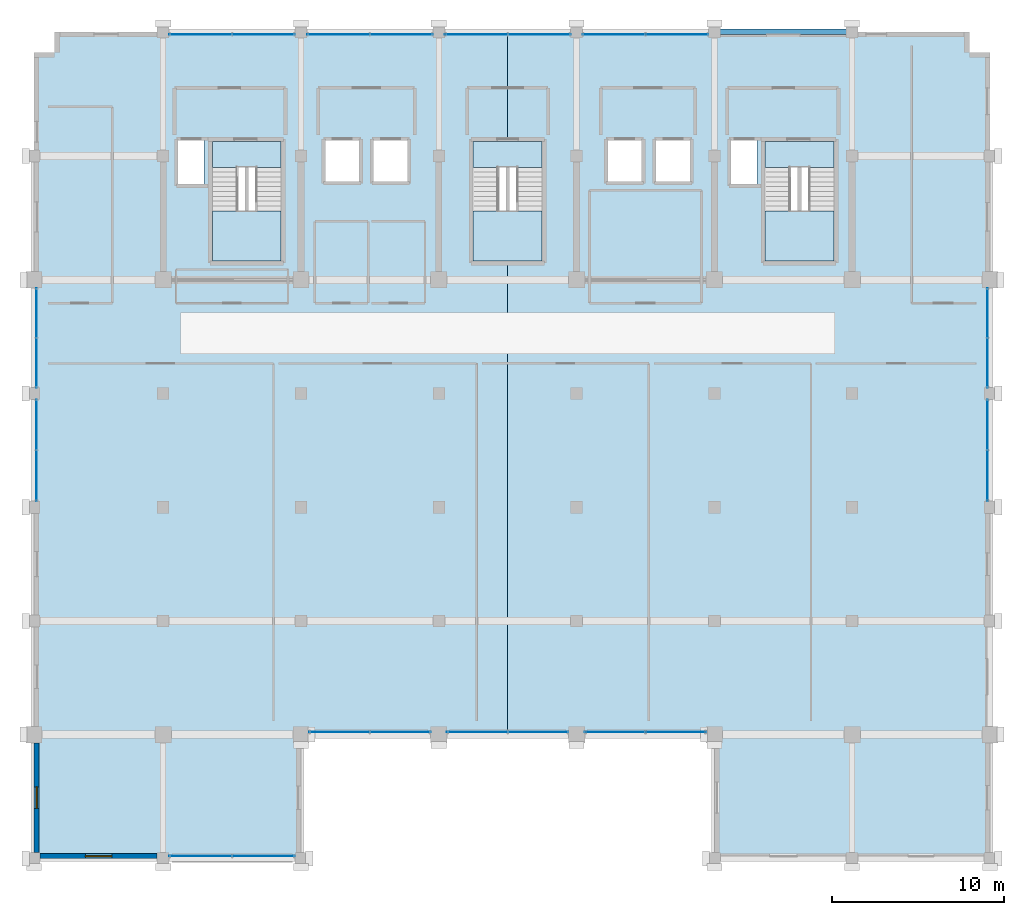
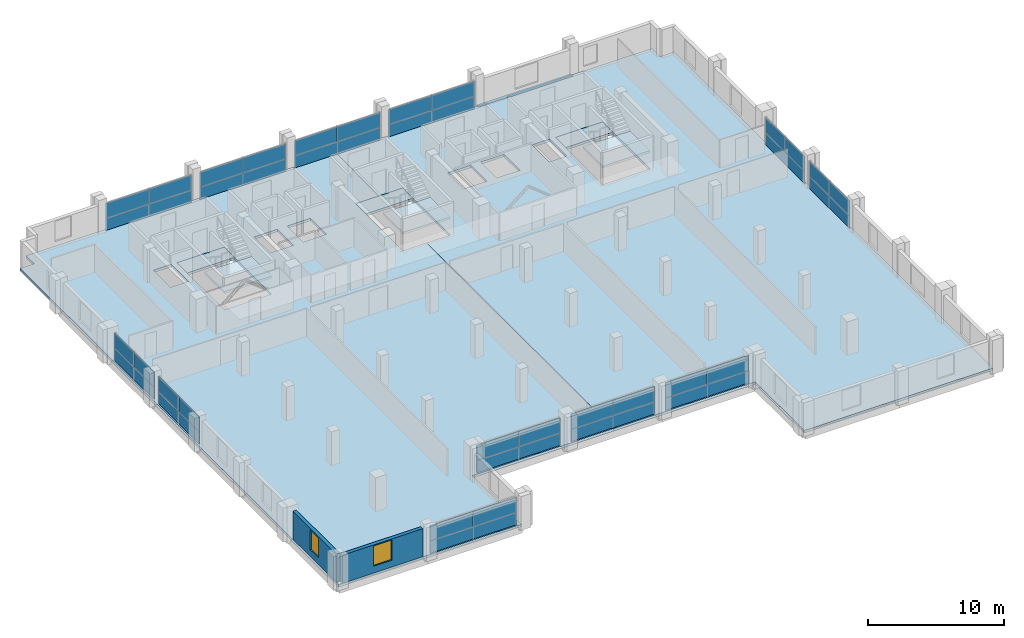
# One storey, part 20 of 25: 36 plates, 8 slabs, 2 walls, 2 windows, 1 beam, 2 openings, 15 elements without a shape of their own.
"""IFC4 building model written with IfcOpenShell, lengths in metres."""

from ifc_helpers import new_model, si_unit, direction, frame, frame_2d, origin, origin_2d, place, context, subcontext, project, spatial, polyline, rectangle, outline, extrude, material, layer, layer_set, material_profile, profile_set, type_object, element, fill, aggregate, save


model = new_model("IFC4")

# Units and contexts
model_context = context("Model", 3, precision=1e-05, world=origin(), true_north=direction((0.0, 1.0)))
body_context = subcontext(model_context, "Body", "Model", "MODEL_VIEW")
ifc_project = project(units=[si_unit("LENGTHUNIT", "METRE"), si_unit("AREAUNIT", "SQUARE_METRE"), si_unit("VOLUMEUNIT", "CUBIC_METRE"), si_unit("PLANEANGLEUNIT", "RADIAN"), si_unit("MASSUNIT", "GRAM", prefix="KILO")], contexts=[model_context])

# Site, building, storey
site_placement = place(None, origin())
site = spatial("IfcSite", under=ifc_project, at=site_placement, CompositionType="ELEMENT")
building_placement = place(site_placement, origin())
building = spatial("IfcBuilding", under=site, at=building_placement, Name="Akrevak Sports Hall", CompositionType="ELEMENT")
storey_placement = place(building_placement, frame((0.0, 0.0, 50.300048828125)))
storey = spatial("IfcBuildingStorey", under=building, at=storey_placement, Name="L12", CompositionType="ELEMENT", Elevation=50.300048828125)

# Beam
ifc_material_1 = material(Name="Concrete C40/50", Category="concrete")
ifc_material_profile = material_profile(ifc_material_1, rectangle(XDim=0.320068359375, YDim=0.679931640625, at=origin_2d()), Name="SPD 320x680", Category="concrete")
ifc_profile_set = profile_set([ifc_material_profile], Name="Concrete C40/50")
beam_type = type_object("IfcBeamType", Name="STR-SPD-RC320x680", PredefinedType="SPANDREL", material=ifc_profile_set)
beam_placement = place(storey_placement, frame((92.0, 69.60009765625, -0.340087890625), z_axis=(1.0, 0.0, 0.0), x_axis=(0.0, 1.0, 0.0)))
element("IfcBeam", 1, at=beam_placement, inside=storey, type_object=beam_type, Name="Girder K/13-14 (L12)", PredefinedType="SPANDREL", context=body_context, shape_type="SweptSolid", body=[
    extrude(rectangle(XDim=0.320068359375, YDim=0.679931640625, at=origin_2d()), origin(), (0.0, 0.0, 1.0), 8.0),
])

# Curtain wall, plates
ifc_material_2 = material(Name="Anodized Bronze Aluminium & Low-E Glass", Category="aluminium")
curtain_wall_type = type_object("IfcCurtainWallType", Name="ARC-CW-TWR-72x30", PredefinedType="NOTDEFINED", material=ifc_material_2)
curtain_wall_1_placement = place(storey_placement, origin())
curtain_wall_1 = element("IfcCurtainWall", 2, at=curtain_wall_1_placement, inside=storey, type_object=curtain_wall_type, Name="Curtain Wall CW-L12-S02", PredefinedType="NOTDEFINED")
ifc_material_3 = material(Name="Double Low-E Tempered Glass", Category="glass")
ifc_layer_1 = layer(ifc_material_3, 0.031982421875, Name="Double Low-E Tempered Glass")
ifc_layer_set_1 = layer_set([ifc_layer_1], Name="Double Low-E Tempered Glass")
plate_type_1 = type_object("IfcPlateType", Name="ARC-CWP-GLZ-32", PredefinedType="CURTAIN_PANEL", material=ifc_layer_set_1)
plate_1_placement = place(storey_placement, frame((62.175048828125, 21.75, 1.099853515625), z_axis=(0.0, 0.0, 1.0), x_axis=(1.0, 0.0, 0.0)))
plate_1 = element("IfcPlate", 3, at=plate_1_placement, type_object=plate_type_1, Name="Vision Glass Panel CW-L12-S02-G1", PredefinedType="CURTAIN_PANEL", context=body_context, shape_type="SweptSolid", body=[
    extrude(rectangle(XDim=3.64990234375, YDim=0.035888671875, at=origin_2d()), origin(), (0.0, 0.0, 1.0), 1.35009765625),
])
plate_2_placement = place(storey_placement, frame((65.824951171875, 21.75, 1.099853515625), z_axis=(0.0, 0.0, 1.0), x_axis=(1.0, 0.0, 0.0)))
plate_2 = element("IfcPlate", 4, at=plate_2_placement, type_object=plate_type_1, Name="Vision Glass Panel CW-L12-S02-G2", PredefinedType="CURTAIN_PANEL", context=body_context, shape_type="SweptSolid", body=[
    extrude(rectangle(XDim=3.64990234375, YDim=0.035888671875, at=origin_2d()), origin(), (0.0, 0.0, 1.0), 1.35009765625),
])

curtain_wall_2_placement = place(storey_placement, origin())
curtain_wall_2 = element("IfcCurtainWall", 5, at=curtain_wall_2_placement, inside=storey, type_object=curtain_wall_type, Name="Curtain Wall CW-L12-S04", PredefinedType="NOTDEFINED")
plate_3_placement = place(storey_placement, frame((70.237548828125, 28.949951171875, 1.099853515625), z_axis=(0.0, 0.0, 1.0), x_axis=(1.0, 0.0, 0.0)))
plate_3 = element("IfcPlate", 6, at=plate_3_placement, type_object=plate_type_1, Name="Vision Glass Panel CW-L12-S04-G1", PredefinedType="CURTAIN_PANEL", context=body_context, shape_type="SweptSolid", body=[
    extrude(rectangle(XDim=3.52490234375, YDim=0.035888671875, at=origin_2d()), origin(), (0.0, 0.0, 1.0), 1.35009765625),
])
plate_4_placement = place(storey_placement, frame((73.762451171875, 28.949951171875, 1.099853515625), z_axis=(0.0, 0.0, 1.0), x_axis=(1.0, 0.0, 0.0)))
plate_4 = element("IfcPlate", 7, at=plate_4_placement, type_object=plate_type_1, Name="Vision Glass Panel CW-L12-S04-G2", PredefinedType="CURTAIN_PANEL", context=body_context, shape_type="SweptSolid", body=[
    extrude(rectangle(XDim=3.52490234375, YDim=0.035888671875, at=origin_2d()), origin(), (0.0, 0.0, 1.0), 1.35009765625),
])

curtain_wall_3_placement = place(storey_placement, origin())
curtain_wall_3 = element("IfcCurtainWall", 8, at=curtain_wall_3_placement, inside=storey, type_object=curtain_wall_type, Name="Curtain Wall CW-L12-S05", PredefinedType="NOTDEFINED")
plate_5_placement = place(storey_placement, frame((78.237548828125, 28.949951171875, 1.099853515625), z_axis=(0.0, 0.0, 1.0), x_axis=(1.0, 0.0, 0.0)))
plate_5 = element("IfcPlate", 9, at=plate_5_placement, type_object=plate_type_1, Name="Vision Glass Panel CW-L12-S05-G1", PredefinedType="CURTAIN_PANEL", context=body_context, shape_type="SweptSolid", body=[
    extrude(rectangle(XDim=3.52490234375, YDim=0.035888671875, at=origin_2d()), origin(), (0.0, 0.0, 1.0), 1.35009765625),
])
plate_6_placement = place(storey_placement, frame((81.762451171875, 28.949951171875, 1.099853515625), z_axis=(0.0, 0.0, 1.0), x_axis=(1.0, 0.0, 0.0)))
plate_6 = element("IfcPlate", 10, at=plate_6_placement, type_object=plate_type_1, Name="Vision Glass Panel CW-L12-S05-G2", PredefinedType="CURTAIN_PANEL", context=body_context, shape_type="SweptSolid", body=[
    extrude(rectangle(XDim=3.52490234375, YDim=0.035888671875, at=origin_2d()), origin(), (0.0, 0.0, 1.0), 1.35009765625),
])

curtain_wall_4_placement = place(storey_placement, origin())
curtain_wall_4 = element("IfcCurtainWall", 11, at=curtain_wall_4_placement, inside=storey, type_object=curtain_wall_type, Name="Curtain Wall CW-L12-S06", PredefinedType="NOTDEFINED")
plate_7_placement = place(storey_placement, frame((86.237548828125, 28.949951171875, 1.099853515625), z_axis=(0.0, 0.0, 1.0), x_axis=(1.0, 0.0, 0.0)))
plate_7 = element("IfcPlate", 12, at=plate_7_placement, type_object=plate_type_1, Name="Vision Glass Panel CW-L12-S06-G1", PredefinedType="CURTAIN_PANEL", context=body_context, shape_type="SweptSolid", body=[
    extrude(rectangle(XDim=3.52490234375, YDim=0.035888671875, at=origin_2d()), origin(), (0.0, 0.0, 1.0), 1.35009765625),
])
plate_8_placement = place(storey_placement, frame((89.762451171875, 28.949951171875, 1.099853515625), z_axis=(0.0, 0.0, 1.0), x_axis=(1.0, 0.0, 0.0)))
plate_8 = element("IfcPlate", 13, at=plate_8_placement, type_object=plate_type_1, Name="Vision Glass Panel CW-L12-S06-G2", PredefinedType="CURTAIN_PANEL", context=body_context, shape_type="SweptSolid", body=[
    extrude(rectangle(XDim=3.52490234375, YDim=0.035888671875, at=origin_2d()), origin(), (0.0, 0.0, 1.0), 1.35009765625),
])

curtain_wall_5_placement = place(storey_placement, origin())
curtain_wall_5 = element("IfcCurtainWall", 14, at=curtain_wall_5_placement, inside=storey, type_object=curtain_wall_type, Name="Curtain Wall CW-L12-E13", PredefinedType="NOTDEFINED")
plate_9_placement = place(storey_placement, frame((107.85009765625, 43.824951171875, 1.099853515625), z_axis=(0.0, 0.0, 1.0), x_axis=(0.0, 1.0, 0.0)))
plate_9 = element("IfcPlate", 15, at=plate_9_placement, type_object=plate_type_1, Name="Vision Glass Panel CW-L12-E13-G1", PredefinedType="CURTAIN_PANEL", context=body_context, shape_type="SweptSolid", body=[
    extrude(rectangle(XDim=2.949951171875, YDim=0.035888671875, at=origin_2d()), origin(), (0.0, 0.0, 1.0), 1.35009765625),
])
plate_10_placement = place(storey_placement, frame((107.85009765625, 46.77490234375, 1.099853515625), z_axis=(0.0, 0.0, 1.0), x_axis=(0.0, 1.0, 0.0)))
plate_10 = element("IfcPlate", 16, at=plate_10_placement, type_object=plate_type_1, Name="Vision Glass Panel CW-L12-E13-G2", PredefinedType="CURTAIN_PANEL", context=body_context, shape_type="SweptSolid", body=[
    extrude(rectangle(XDim=2.949951171875, YDim=0.035888671875, at=origin_2d()), origin(), (0.0, 0.0, 1.0), 1.35009765625),
])

curtain_wall_6_placement = place(storey_placement, origin())
curtain_wall_6 = element("IfcCurtainWall", 17, at=curtain_wall_6_placement, inside=storey, type_object=curtain_wall_type, Name="Curtain Wall CW-L12-E14", PredefinedType="NOTDEFINED")
plate_11_placement = place(storey_placement, frame((107.85009765625, 50.393798828125, 1.099853515625), z_axis=(0.0, 0.0, 1.0), x_axis=(0.0, 1.0, 0.0)))
plate_11 = element("IfcPlate", 18, at=plate_11_placement, type_object=plate_type_1, Name="Vision Glass Panel CW-L12-E14-G1", PredefinedType="CURTAIN_PANEL", context=body_context, shape_type="SweptSolid", body=[
    extrude(rectangle(XDim=2.887451171875, YDim=0.035888671875, at=origin_2d()), origin(), (0.0, 0.0, 1.0), 1.35009765625),
])
plate_12_placement = place(storey_placement, frame((107.85009765625, 53.28125, 1.099853515625), z_axis=(0.0, 0.0, 1.0), x_axis=(0.0, 1.0, 0.0)))
plate_12 = element("IfcPlate", 19, at=plate_12_placement, type_object=plate_type_1, Name="Vision Glass Panel CW-L12-E14-G2", PredefinedType="CURTAIN_PANEL", context=body_context, shape_type="SweptSolid", body=[
    extrude(rectangle(XDim=2.887451171875, YDim=0.035888671875, at=origin_2d()), origin(), (0.0, 0.0, 1.0), 1.35009765625),
])

curtain_wall_7_placement = place(storey_placement, origin())
curtain_wall_7 = element("IfcCurtainWall", 20, at=curtain_wall_7_placement, inside=storey, type_object=curtain_wall_type, Name="Curtain Wall CW-L12-N21", PredefinedType="NOTDEFINED")
plate_13_placement = place(storey_placement, frame((89.824951171875, 69.449951171875, 1.099853515625), z_axis=(0.0, 0.0, 1.0), x_axis=(-1.0, 0.0, 0.0)))
plate_13 = element("IfcPlate", 21, at=plate_13_placement, type_object=plate_type_1, Name="Vision Glass Panel CW-L12-N21-G1", PredefinedType="CURTAIN_PANEL", context=body_context, shape_type="SweptSolid", body=[
    extrude(rectangle(XDim=3.64990234375, YDim=0.035888671875, at=origin_2d()), origin(), (0.0, 0.0, 1.0), 1.35009765625),
])
plate_14_placement = place(storey_placement, frame((86.175048828125, 69.449951171875, 1.099853515625), z_axis=(0.0, 0.0, 1.0), x_axis=(-1.0, 0.0, 0.0)))
plate_14 = element("IfcPlate", 22, at=plate_14_placement, type_object=plate_type_1, Name="Vision Glass Panel CW-L12-N21-G2", PredefinedType="CURTAIN_PANEL", context=body_context, shape_type="SweptSolid", body=[
    extrude(rectangle(XDim=3.64990234375, YDim=0.035888671875, at=origin_2d()), origin(), (0.0, 0.0, 1.0), 1.35009765625),
])

curtain_wall_8_placement = place(storey_placement, origin())
curtain_wall_8 = element("IfcCurtainWall", 23, at=curtain_wall_8_placement, inside=storey, type_object=curtain_wall_type, Name="Curtain Wall CW-L12-N22", PredefinedType="NOTDEFINED")
plate_15_placement = place(storey_placement, frame((81.824951171875, 69.449951171875, 1.099853515625), z_axis=(0.0, 0.0, 1.0), x_axis=(-1.0, 0.0, 0.0)))
plate_15 = element("IfcPlate", 24, at=plate_15_placement, type_object=plate_type_1, Name="Vision Glass Panel CW-L12-N22-G1", PredefinedType="CURTAIN_PANEL", context=body_context, shape_type="SweptSolid", body=[
    extrude(rectangle(XDim=3.64990234375, YDim=0.035888671875, at=origin_2d()), origin(), (0.0, 0.0, 1.0), 1.35009765625),
])
plate_16_placement = place(storey_placement, frame((78.175048828125, 69.449951171875, 1.099853515625), z_axis=(0.0, 0.0, 1.0), x_axis=(-1.0, 0.0, 0.0)))
plate_16 = element("IfcPlate", 25, at=plate_16_placement, type_object=plate_type_1, Name="Vision Glass Panel CW-L12-N22-G2", PredefinedType="CURTAIN_PANEL", context=body_context, shape_type="SweptSolid", body=[
    extrude(rectangle(XDim=3.64990234375, YDim=0.035888671875, at=origin_2d()), origin(), (0.0, 0.0, 1.0), 1.35009765625),
])

curtain_wall_9_placement = place(storey_placement, origin())
curtain_wall_9 = element("IfcCurtainWall", 26, at=curtain_wall_9_placement, inside=storey, type_object=curtain_wall_type, Name="Curtain Wall CW-L12-N23", PredefinedType="NOTDEFINED")
plate_17_placement = place(storey_placement, frame((73.824951171875, 69.449951171875, 1.099853515625), z_axis=(0.0, 0.0, 1.0), x_axis=(-1.0, 0.0, 0.0)))
plate_17 = element("IfcPlate", 27, at=plate_17_placement, type_object=plate_type_1, Name="Vision Glass Panel CW-L12-N23-G1", PredefinedType="CURTAIN_PANEL", context=body_context, shape_type="SweptSolid", body=[
    extrude(rectangle(XDim=3.64990234375, YDim=0.035888671875, at=origin_2d()), origin(), (0.0, 0.0, 1.0), 1.35009765625),
])
plate_18_placement = place(storey_placement, frame((70.175048828125, 69.449951171875, 1.099853515625), z_axis=(0.0, 0.0, 1.0), x_axis=(-1.0, 0.0, 0.0)))
plate_18 = element("IfcPlate", 28, at=plate_18_placement, type_object=plate_type_1, Name="Vision Glass Panel CW-L12-N23-G2", PredefinedType="CURTAIN_PANEL", context=body_context, shape_type="SweptSolid", body=[
    extrude(rectangle(XDim=3.64990234375, YDim=0.035888671875, at=origin_2d()), origin(), (0.0, 0.0, 1.0), 1.35009765625),
])

curtain_wall_10_placement = place(storey_placement, origin())
curtain_wall_10 = element("IfcCurtainWall", 29, at=curtain_wall_10_placement, inside=storey, type_object=curtain_wall_type, Name="Curtain Wall CW-L12-N24", PredefinedType="NOTDEFINED")
plate_19_placement = place(storey_placement, frame((65.824951171875, 69.449951171875, 1.099853515625), z_axis=(0.0, 0.0, 1.0), x_axis=(-1.0, 0.0, 0.0)))
plate_19 = element("IfcPlate", 30, at=plate_19_placement, type_object=plate_type_1, Name="Vision Glass Panel CW-L12-N24-G1", PredefinedType="CURTAIN_PANEL", context=body_context, shape_type="SweptSolid", body=[
    extrude(rectangle(XDim=3.64990234375, YDim=0.035888671875, at=origin_2d()), origin(), (0.0, 0.0, 1.0), 1.35009765625),
])
plate_20_placement = place(storey_placement, frame((62.175048828125, 69.449951171875, 1.099853515625), z_axis=(0.0, 0.0, 1.0), x_axis=(-1.0, 0.0, 0.0)))
plate_20 = element("IfcPlate", 31, at=plate_20_placement, type_object=plate_type_1, Name="Vision Glass Panel CW-L12-N24-G2", PredefinedType="CURTAIN_PANEL", context=body_context, shape_type="SweptSolid", body=[
    extrude(rectangle(XDim=3.64990234375, YDim=0.035888671875, at=origin_2d()), origin(), (0.0, 0.0, 1.0), 1.35009765625),
])

curtain_wall_11_placement = place(storey_placement, origin())
curtain_wall_11 = element("IfcCurtainWall", 32, at=curtain_wall_11_placement, inside=storey, type_object=curtain_wall_type, Name="Curtain Wall CW-L12-W30", PredefinedType="NOTDEFINED")
plate_21_placement = place(storey_placement, frame((52.64990234375, 53.28125, 1.099853515625), z_axis=(0.0, 0.0, 1.0), x_axis=(0.0, -1.0, 0.0)))
plate_21 = element("IfcPlate", 33, at=plate_21_placement, type_object=plate_type_1, Name="Vision Glass Panel CW-L12-W30-G1", PredefinedType="CURTAIN_PANEL", context=body_context, shape_type="SweptSolid", body=[
    extrude(rectangle(XDim=2.887451171875, YDim=0.035888671875, at=origin_2d()), origin(), (0.0, 0.0, 1.0), 1.35009765625),
])
plate_22_placement = place(storey_placement, frame((52.64990234375, 50.393798828125, 1.099853515625), z_axis=(0.0, 0.0, 1.0), x_axis=(0.0, -1.0, 0.0)))
plate_22 = element("IfcPlate", 34, at=plate_22_placement, type_object=plate_type_1, Name="Vision Glass Panel CW-L12-W30-G2", PredefinedType="CURTAIN_PANEL", context=body_context, shape_type="SweptSolid", body=[
    extrude(rectangle(XDim=2.887451171875, YDim=0.035888671875, at=origin_2d()), origin(), (0.0, 0.0, 1.0), 1.35009765625),
])

curtain_wall_12_placement = place(storey_placement, origin())
curtain_wall_12 = element("IfcCurtainWall", 35, at=curtain_wall_12_placement, inside=storey, type_object=curtain_wall_type, Name="Curtain Wall CW-L12-W31", PredefinedType="NOTDEFINED")
plate_23_placement = place(storey_placement, frame((52.64990234375, 46.77490234375, 1.099853515625), z_axis=(0.0, 0.0, 1.0), x_axis=(0.0, -1.0, 0.0)))
plate_23 = element("IfcPlate", 36, at=plate_23_placement, type_object=plate_type_1, Name="Vision Glass Panel CW-L12-W31-G1", PredefinedType="CURTAIN_PANEL", context=body_context, shape_type="SweptSolid", body=[
    extrude(rectangle(XDim=2.949951171875, YDim=0.035888671875, at=origin_2d()), origin(), (0.0, 0.0, 1.0), 1.35009765625),
])
plate_24_placement = place(storey_placement, frame((52.64990234375, 43.824951171875, 1.099853515625), z_axis=(0.0, 0.0, 1.0), x_axis=(0.0, -1.0, 0.0)))
plate_24 = element("IfcPlate", 37, at=plate_24_placement, type_object=plate_type_1, Name="Vision Glass Panel CW-L12-W31-G2", PredefinedType="CURTAIN_PANEL", context=body_context, shape_type="SweptSolid", body=[
    extrude(rectangle(XDim=2.949951171875, YDim=0.035888671875, at=origin_2d()), origin(), (0.0, 0.0, 1.0), 1.35009765625),
])

# Plate
ifc_material_4 = material(Name="Insulated Bronze Spandrel Panel", Category="aluminium")
ifc_layer_2 = layer(ifc_material_4, 0.0400390625, Name="Insulated Bronze Spandrel Panel")
ifc_layer_set_2 = layer_set([ifc_layer_2], Name="Insulated Bronze Spandrel Panel")
plate_type_2 = type_object("IfcPlateType", Name="ARC-CWP-SPD-40", PredefinedType="CURTAIN_PANEL", material=ifc_layer_set_2)
plate_25_placement = place(storey_placement, frame((64.0, 21.75, 0.0), z_axis=(0.0, 0.0, 1.0), x_axis=(1.0, 0.0, 0.0)))
plate_25 = element("IfcPlate", 38, at=plate_25_placement, type_object=plate_type_2, Name="Insulated Spandrel Panel CW-L12-S02-S1", PredefinedType="CURTAIN_PANEL", context=body_context, shape_type="SweptSolid", body=[
    extrude(rectangle(XDim=7.300048828125, YDim=0.0439453125, at=origin_2d()), origin(), (0.0, 0.0, 1.0), 1.10009765625),
])

aggregate(curtain_wall_1, [plate_1, plate_2, plate_25])

plate_26_placement = place(storey_placement, frame((72.0, 28.949951171875, 0.0), z_axis=(0.0, 0.0, 1.0), x_axis=(1.0, 0.0, 0.0)))
plate_26 = element("IfcPlate", 39, at=plate_26_placement, type_object=plate_type_2, Name="Insulated Spandrel Panel CW-L12-S04-S1", PredefinedType="CURTAIN_PANEL", context=body_context, shape_type="SweptSolid", body=[
    extrude(rectangle(XDim=7.050048828125, YDim=0.0439453125, at=origin_2d()), origin(), (0.0, 0.0, 1.0), 1.10009765625),
])

aggregate(curtain_wall_2, [plate_3, plate_4, plate_26])

plate_27_placement = place(storey_placement, frame((80.0, 28.949951171875, 0.0), z_axis=(0.0, 0.0, 1.0), x_axis=(1.0, 0.0, 0.0)))
plate_27 = element("IfcPlate", 40, at=plate_27_placement, type_object=plate_type_2, Name="Insulated Spandrel Panel CW-L12-S05-S1", PredefinedType="CURTAIN_PANEL", context=body_context, shape_type="SweptSolid", body=[
    extrude(rectangle(XDim=7.050048828125, YDim=0.0439453125, at=origin_2d()), origin(), (0.0, 0.0, 1.0), 1.10009765625),
])

aggregate(curtain_wall_3, [plate_5, plate_6, plate_27])

plate_28_placement = place(storey_placement, frame((88.0, 28.949951171875, 0.0), z_axis=(0.0, 0.0, 1.0), x_axis=(1.0, 0.0, 0.0)))
plate_28 = element("IfcPlate", 41, at=plate_28_placement, type_object=plate_type_2, Name="Insulated Spandrel Panel CW-L12-S06-S1", PredefinedType="CURTAIN_PANEL", context=body_context, shape_type="SweptSolid", body=[
    extrude(rectangle(XDim=7.050048828125, YDim=0.0439453125, at=origin_2d()), origin(), (0.0, 0.0, 1.0), 1.10009765625),
])

aggregate(curtain_wall_4, [plate_7, plate_8, plate_28])

plate_29_placement = place(storey_placement, frame((107.85009765625, 45.300048828125, 0.0), z_axis=(0.0, 0.0, 1.0), x_axis=(0.0, 1.0, 0.0)))
plate_29 = element("IfcPlate", 42, at=plate_29_placement, type_object=plate_type_2, Name="Insulated Spandrel Panel CW-L12-E13-S1", PredefinedType="CURTAIN_PANEL", context=body_context, shape_type="SweptSolid", body=[
    extrude(rectangle(XDim=5.89990234375, YDim=0.0439453125, at=origin_2d()), origin(), (0.0, 0.0, 1.0), 1.10009765625),
])

aggregate(curtain_wall_5, [plate_9, plate_10, plate_29])

plate_30_placement = place(storey_placement, frame((107.85009765625, 51.83740234375, 0.0), z_axis=(0.0, 0.0, 1.0), x_axis=(0.0, 1.0, 0.0)))
plate_30 = element("IfcPlate", 43, at=plate_30_placement, type_object=plate_type_2, Name="Insulated Spandrel Panel CW-L12-E14-S1", PredefinedType="CURTAIN_PANEL", context=body_context, shape_type="SweptSolid", body=[
    extrude(rectangle(XDim=5.77490234375, YDim=0.0439453125, at=origin_2d()), origin(), (0.0, 0.0, 1.0), 1.10009765625),
])

aggregate(curtain_wall_6, [plate_11, plate_12, plate_30])

plate_31_placement = place(storey_placement, frame((88.0, 69.449951171875, 0.0), z_axis=(0.0, 0.0, 1.0), x_axis=(-1.0, 0.0, 0.0)))
plate_31 = element("IfcPlate", 44, at=plate_31_placement, type_object=plate_type_2, Name="Insulated Spandrel Panel CW-L12-N21-S1", PredefinedType="CURTAIN_PANEL", context=body_context, shape_type="SweptSolid", body=[
    extrude(rectangle(XDim=7.300048828125, YDim=0.0439453125, at=origin_2d()), origin(), (0.0, 0.0, 1.0), 1.10009765625),
])

aggregate(curtain_wall_7, [plate_13, plate_14, plate_31])

plate_32_placement = place(storey_placement, frame((80.0, 69.449951171875, 0.0), z_axis=(0.0, 0.0, 1.0), x_axis=(-1.0, 0.0, 0.0)))
plate_32 = element("IfcPlate", 45, at=plate_32_placement, type_object=plate_type_2, Name="Insulated Spandrel Panel CW-L12-N22-S1", PredefinedType="CURTAIN_PANEL", context=body_context, shape_type="SweptSolid", body=[
    extrude(rectangle(XDim=7.300048828125, YDim=0.0439453125, at=origin_2d()), origin(), (0.0, 0.0, 1.0), 1.10009765625),
])

aggregate(curtain_wall_8, [plate_15, plate_16, plate_32])

plate_33_placement = place(storey_placement, frame((72.0, 69.449951171875, 0.0), z_axis=(0.0, 0.0, 1.0), x_axis=(-1.0, 0.0, 0.0)))
plate_33 = element("IfcPlate", 46, at=plate_33_placement, type_object=plate_type_2, Name="Insulated Spandrel Panel CW-L12-N23-S1", PredefinedType="CURTAIN_PANEL", context=body_context, shape_type="SweptSolid", body=[
    extrude(rectangle(XDim=7.300048828125, YDim=0.0439453125, at=origin_2d()), origin(), (0.0, 0.0, 1.0), 1.10009765625),
])

aggregate(curtain_wall_9, [plate_17, plate_18, plate_33])

plate_34_placement = place(storey_placement, frame((64.0, 69.449951171875, 0.0), z_axis=(0.0, 0.0, 1.0), x_axis=(-1.0, 0.0, 0.0)))
plate_34 = element("IfcPlate", 47, at=plate_34_placement, type_object=plate_type_2, Name="Insulated Spandrel Panel CW-L12-N24-S1", PredefinedType="CURTAIN_PANEL", context=body_context, shape_type="SweptSolid", body=[
    extrude(rectangle(XDim=7.300048828125, YDim=0.0439453125, at=origin_2d()), origin(), (0.0, 0.0, 1.0), 1.10009765625),
])

aggregate(curtain_wall_10, [plate_19, plate_20, plate_34])

plate_35_placement = place(storey_placement, frame((52.64990234375, 51.83740234375, 0.0), z_axis=(0.0, 0.0, 1.0), x_axis=(0.0, -1.0, 0.0)))
plate_35 = element("IfcPlate", 48, at=plate_35_placement, type_object=plate_type_2, Name="Insulated Spandrel Panel CW-L12-W30-S1", PredefinedType="CURTAIN_PANEL", context=body_context, shape_type="SweptSolid", body=[
    extrude(rectangle(XDim=5.77490234375, YDim=0.0439453125, at=origin_2d()), origin(), (0.0, 0.0, 1.0), 1.10009765625),
])

aggregate(curtain_wall_11, [plate_21, plate_22, plate_35])

plate_36_placement = place(storey_placement, frame((52.64990234375, 45.300048828125, 0.0), z_axis=(0.0, 0.0, 1.0), x_axis=(0.0, -1.0, 0.0)))
plate_36 = element("IfcPlate", 49, at=plate_36_placement, type_object=plate_type_2, Name="Insulated Spandrel Panel CW-L12-W31-S1", PredefinedType="CURTAIN_PANEL", context=body_context, shape_type="SweptSolid", body=[
    extrude(rectangle(XDim=5.89990234375, YDim=0.0439453125, at=origin_2d()), origin(), (0.0, 0.0, 1.0), 1.10009765625),
])

aggregate(curtain_wall_12, [plate_23, plate_24, plate_36])

# Slabs
ifc_layer_3 = layer(ifc_material_1, 0.22998046875, Name="Concrete C40/50")
ifc_layer_set_3 = layer_set([ifc_layer_3], Name="Concrete C40/50")
slab_type_1 = type_object("IfcSlabType", Name="STR-SLB-FLR-230", PredefinedType="FLOOR", material=ifc_layer_set_3)
slab_1_placement = place(storey_placement, frame((0.0, 0.0, -0.22998046875)))
element("IfcSlab", 50, at=slab_1_placement, inside=storey, type_object=slab_type_1, Name="Structural Floor Slab L12-1.1", PredefinedType="FLOOR", context=body_context, shape_type="SweptSolid", body=[
    extrude(outline(polyline([(52.5, 68.39990234375), (52.5, 21.60009765625), (68.0, 21.60009765625), (68.0, 28.800048828125), (80.0, 28.800048828125), (80.0, 56.300048828125), (78.0, 56.300048828125), (78.0, 63.25), (80.0, 63.25), (80.0, 69.60009765625), (53.699951171875, 69.60009765625), (53.699951171875, 68.39990234375), (52.5, 68.39990234375)]), holes=[polyline([(62.85009765625, 63.25), (66.85009765625, 63.25), (66.85009765625, 56.300048828125), (62.85009765625, 56.300048828125), (62.85009765625, 63.25)]), polyline([(60.8701171875, 63.280029296875), (62.3798828125, 63.280029296875), (62.3798828125, 60.77001953125), (60.8701171875, 60.77001953125), (60.8701171875, 63.280029296875)]), polyline([(69.419921875, 63.280029296875), (71.3798828125, 63.280029296875), (71.3798828125, 60.919921875), (69.419921875, 60.919921875), (69.419921875, 63.280029296875)]), polyline([(72.219970703125, 63.280029296875), (74.179931640625, 63.280029296875), (74.179931640625, 60.919921875), (72.219970703125, 60.919921875), (72.219970703125, 63.280029296875)])]), origin(), (0.0, 0.0, 1.0), 0.22998046875),
])
slab_2_placement = place(storey_placement, frame((0.0, 0.0, -0.22998046875)))
element("IfcSlab", 51, at=slab_2_placement, inside=storey, type_object=slab_type_1, Name="Structural Floor Slab L12-2.1", PredefinedType="FLOOR", context=body_context, shape_type="SweptSolid", body=[
    extrude(outline(polyline([(80.0, 69.60009765625), (80.0, 63.25), (82.0, 63.25), (82.0, 56.300048828125), (80.0, 56.300048828125), (80.0, 28.800048828125), (92.0, 28.800048828125), (92.0, 21.60009765625), (108.0, 21.60009765625), (108.0, 68.39990234375), (106.800048828125, 68.39990234375), (106.800048828125, 69.60009765625), (80.0, 69.60009765625)]), holes=[polyline([(94.949951171875, 63.25), (98.949951171875, 63.25), (98.949951171875, 56.300048828125), (94.949951171875, 56.300048828125), (94.949951171875, 63.25)]), polyline([(92.969970703125, 63.280029296875), (94.47998046875, 63.280029296875), (94.47998046875, 60.77001953125), (92.969970703125, 60.77001953125), (92.969970703125, 63.280029296875)]), polyline([(87.780029296875, 63.280029296875), (87.780029296875, 60.919921875), (85.820068359375, 60.919921875), (85.820068359375, 63.280029296875), (87.780029296875, 63.280029296875)]), polyline([(90.580078125, 63.280029296875), (90.580078125, 60.919921875), (88.6201171875, 60.919921875), (88.6201171875, 63.280029296875), (90.580078125, 63.280029296875)])]), origin(), (0.0, 0.0, 1.0), 0.22998046875),
])

# Stair, slab
stair_type = type_object("IfcStairType", Name="ARC-STR-DOG-325", PredefinedType="HALF_TURN_STAIR", material=ifc_material_1)
stair_1_placement = place(storey_placement, origin())
stair_1 = element("IfcStair", 52, at=stair_1_placement, inside=storey, type_object=stair_type, Name="Protected Exit Stair ST1 (L12 to L13)", PredefinedType="HALF_TURN_STAIR")
ifc_layer_4 = layer(ifc_material_1, 0.199951171875, Name="Concrete C40/50")
ifc_layer_set_4 = layer_set([ifc_layer_4], Name="Concrete C40/50")
slab_type_2 = type_object("IfcSlabType", Name="STR-SLB-LAND-200", PredefinedType="LANDING", material=ifc_layer_set_4)
slab_3_placement = place(storey_placement, frame((0.0, 0.0, 1.425048828125)))
slab_3 = element("IfcSlab", 53, at=slab_3_placement, type_object=slab_type_2, Name="Stair ST1 Half-Landing 1 (L12)", PredefinedType="LANDING", context=body_context, shape_type="SweptSolid", body=[
    extrude(outline(polyline([(62.85009765625, 56.300048828125), (66.85009765625, 56.300048828125), (66.85009765625, 59.215087890625), (62.85009765625, 59.215087890625), (62.85009765625, 56.300048828125)])), origin(), (0.0, 0.0, 1.0), 0.199951171875),
])
aggregate(stair_1, [slab_3])

stair_2_placement = place(storey_placement, origin())
stair_2 = element("IfcStair", 54, at=stair_2_placement, inside=storey, type_object=stair_type, Name="Protected Exit Stair ST2 (L12 to L13)", PredefinedType="HALF_TURN_STAIR")
slab_4_placement = place(storey_placement, frame((0.0, 0.0, 1.425048828125)))
slab_4 = element("IfcSlab", 55, at=slab_4_placement, type_object=slab_type_2, Name="Stair ST2 Half-Landing 1 (L12)", PredefinedType="LANDING", context=body_context, shape_type="SweptSolid", body=[
    extrude(outline(polyline([(94.949951171875, 56.300048828125), (98.949951171875, 56.300048828125), (98.949951171875, 59.215087890625), (94.949951171875, 59.215087890625), (94.949951171875, 56.300048828125)])), origin(), (0.0, 0.0, 1.0), 0.199951171875),
])
aggregate(stair_2, [slab_4])

stair_3_placement = place(storey_placement, origin())
stair_3 = element("IfcStair", 56, at=stair_3_placement, inside=storey, type_object=stair_type, Name="Protected Exit Stair ST3 (L12 to L13)", PredefinedType="HALF_TURN_STAIR")
slab_5_placement = place(storey_placement, frame((0.0, 0.0, 1.425048828125)))
slab_5 = element("IfcSlab", 57, at=slab_5_placement, type_object=slab_type_2, Name="Stair ST3 Half-Landing 1 (L12)", PredefinedType="LANDING", context=body_context, shape_type="SweptSolid", body=[
    extrude(outline(polyline([(78.0, 56.300048828125), (82.0, 56.300048828125), (82.0, 59.215087890625), (78.0, 59.215087890625), (78.0, 56.300048828125)])), origin(), (0.0, 0.0, 1.0), 0.199951171875),
])
aggregate(stair_3, [slab_5])

# Slabs
ifc_layer_5 = layer(ifc_material_1, 0.219970703125, Name="Concrete C40/50")
ifc_layer_set_5 = layer_set([ifc_layer_5], Name="Concrete C40/50")
slab_type_3 = type_object("IfcSlabType", Name="STR-SLB-LAND-220", PredefinedType="LANDING", material=ifc_layer_set_5)
slab_6_placement = place(storey_placement, frame((0.0, 0.0, -0.219970703125)))
element("IfcSlab", 58, at=slab_6_placement, inside=storey, type_object=slab_type_3, Name="Stair ST1 Floor Landing (L12)", PredefinedType="LANDING", context=body_context, shape_type="SweptSolid", body=[
    extrude(outline(polyline([(62.85009765625, 61.735107421875), (66.85009765625, 61.735107421875), (66.85009765625, 63.25), (62.85009765625, 63.25), (62.85009765625, 61.735107421875)])), origin(), (0.0, 0.0, 1.0), 0.219970703125),
])
slab_7_placement = place(storey_placement, frame((0.0, 0.0, -0.219970703125)))
element("IfcSlab", 59, at=slab_7_placement, inside=storey, type_object=slab_type_3, Name="Stair ST2 Floor Landing (L12)", PredefinedType="LANDING", context=body_context, shape_type="SweptSolid", body=[
    extrude(outline(polyline([(94.949951171875, 61.735107421875), (98.949951171875, 61.735107421875), (98.949951171875, 63.25), (94.949951171875, 63.25), (94.949951171875, 61.735107421875)])), origin(), (0.0, 0.0, 1.0), 0.219970703125),
])
slab_8_placement = place(storey_placement, frame((0.0, 0.0, -0.219970703125)))
element("IfcSlab", 60, at=slab_8_placement, inside=storey, type_object=slab_type_3, Name="Stair ST3 Floor Landing (L12)", PredefinedType="LANDING", context=body_context, shape_type="SweptSolid", body=[
    extrude(outline(polyline([(78.0, 61.735107421875), (82.0, 61.735107421875), (82.0, 63.25), (78.0, 63.25), (78.0, 61.735107421875)])), origin(), (0.0, 0.0, 1.0), 0.219970703125),
])

# Wall, opening, window
ifc_material_5 = material(Name="Limestone Ashlar", Category="stone")
ifc_layer_6 = layer(ifc_material_5, 0.06005859375, Name="Limestone Ashlar")
ifc_material_6 = material(Name="Mineral Wool Thermal Insulation", Category="insulation")
ifc_layer_7 = layer(ifc_material_6, 0.090087890625, Name="Mineral Wool Thermal Insulation")
ifc_layer_8 = layer(ifc_material_1, 0.14990234375, Name="Concrete C40/50")
ifc_layer_set_6 = layer_set([ifc_layer_6, ifc_layer_7, ifc_layer_8], Name="Limestone Ashlar / Mineral Wool Thermal Insulation / Concrete C40/50")
wall_type = type_object("IfcWallType", Name="ARC-WL-EXT-300", PredefinedType="SOLIDWALL", material=ifc_layer_set_6)
wall_1_placement = place(storey_placement, frame((52.85009765625, 21.75, 0.0), z_axis=(0.0, 0.0, 1.0), x_axis=(1.0, 0.0, 0.0)))
wall_1 = element("IfcWall", 61, at=wall_1_placement, inside=storey, type_object=wall_type, Name="Tower Stone Facade Wall L12-S01", PredefinedType="SOLIDWALL", context=body_context, shape_type="SweptSolid", body=[
    extrude(rectangle(XDim=6.7998046875, YDim=0.300048828125, at=frame_2d((3.39990234375, 0.0))), origin(), (0.0, 0.0, 1.0), 2.530029296875),
])
opening_1_placement = place(wall_1_placement, frame((2.625, 0.0, 0.6201171875)))
opening_1 = element("IfcOpeningElement", 62, at=opening_1_placement, cuts=wall_1, Name="Opening WN-50", PredefinedType="OPENING", context=body_context, shape_type="SweptSolid", body=[
    extrude(rectangle(XDim=1.550048828125, YDim=1.81005859375, at=frame_2d((0.77490234375, 0.905029296875))), frame((0.0, 0.162109375, 0.0), z_axis=(0.0, -1.0, 0.0), x_axis=(1.0, 0.0, 0.0)), (0.0, 0.0, 1.0), 0.323974609375),
])
ifc_material_7 = material(Name="Thermally Broken Bronze Frame & Double Low-E Glass", Category="glass")
window_type_1 = type_object("IfcWindowType", Name="ARC-WIN-SZ-1550x1810", PartitioningType="SINGLE_PANEL", PredefinedType="WINDOW", material=ifc_material_7)
window_1_placement = place(opening_1_placement, origin())
window_1 = element("IfcWindow", 63, at=window_1_placement, inside=storey, type_object=window_type_1, Name="Tower Window L12-S01", OverallHeight=1.81005859375, OverallWidth=1.550048828125, PartitioningType="SINGLE_PANEL", PredefinedType="WINDOW", context=body_context, shape_type="SweptSolid", body=[
    extrude(rectangle(XDim=1.550048828125, YDim=1.81005859375, at=frame_2d((0.77490234375, 0.905029296875))), frame((0.0, 0.030029296875, 0.0), z_axis=(0.0, -1.0, 0.0), x_axis=(1.0, 0.0, 0.0)), (0.0, 0.0, 1.0), 0.06005859375),
])
fill(opening_1, window_1)

wall_2_placement = place(storey_placement, frame((52.64990234375, 28.324951171875, 0.0), z_axis=(0.0, 0.0, 1.0), x_axis=(0.0, -1.0, 0.0)))
wall_2 = element("IfcWall", 64, at=wall_2_placement, inside=storey, type_object=wall_type, Name="Tower Stone Facade Wall L12-W34", PredefinedType="SOLIDWALL", context=body_context, shape_type="SweptSolid", body=[
    extrude(rectangle(XDim=6.375, YDim=0.300048828125, at=frame_2d((3.1875, 0.0))), origin(), (0.0, 0.0, 1.0), 2.530029296875),
])
opening_2_placement = place(wall_2_placement, frame((2.5625, 0.0, 0.6201171875)))
opening_2 = element("IfcOpeningElement", 65, at=opening_2_placement, cuts=wall_2, Name="Opening WN-20", PredefinedType="OPENING", context=body_context, shape_type="SweptSolid", body=[
    extrude(rectangle(XDim=1.25, YDim=1.75, at=frame_2d((0.625, 0.875))), frame((0.0, 0.162109375, 0.0), z_axis=(0.0, -1.0, 0.0), x_axis=(1.0, 0.0, 0.0)), (0.0, 0.0, 1.0), 0.323974609375),
])
window_type_2 = type_object("IfcWindowType", Name="ARC-WIN-TW-125x175", PartitioningType="SINGLE_PANEL", PredefinedType="WINDOW", material=ifc_material_7)
window_2_placement = place(opening_2_placement, origin())
window_2 = element("IfcWindow", 66, at=window_2_placement, inside=storey, type_object=window_type_2, Name="Tower Window L12-W34", OverallHeight=1.75, OverallWidth=1.25, PartitioningType="SINGLE_PANEL", PredefinedType="WINDOW", context=body_context, shape_type="SweptSolid", body=[
    extrude(rectangle(XDim=1.25, YDim=1.75, at=frame_2d((0.625, 0.875))), frame((0.0, 0.030029296875, 0.0), z_axis=(0.0, -1.0, 0.0), x_axis=(1.0, 0.0, 0.0)), (0.0, 0.0, 1.0), 0.06005859375),
])
fill(opening_2, window_2)

save(model, "model.ifc")
